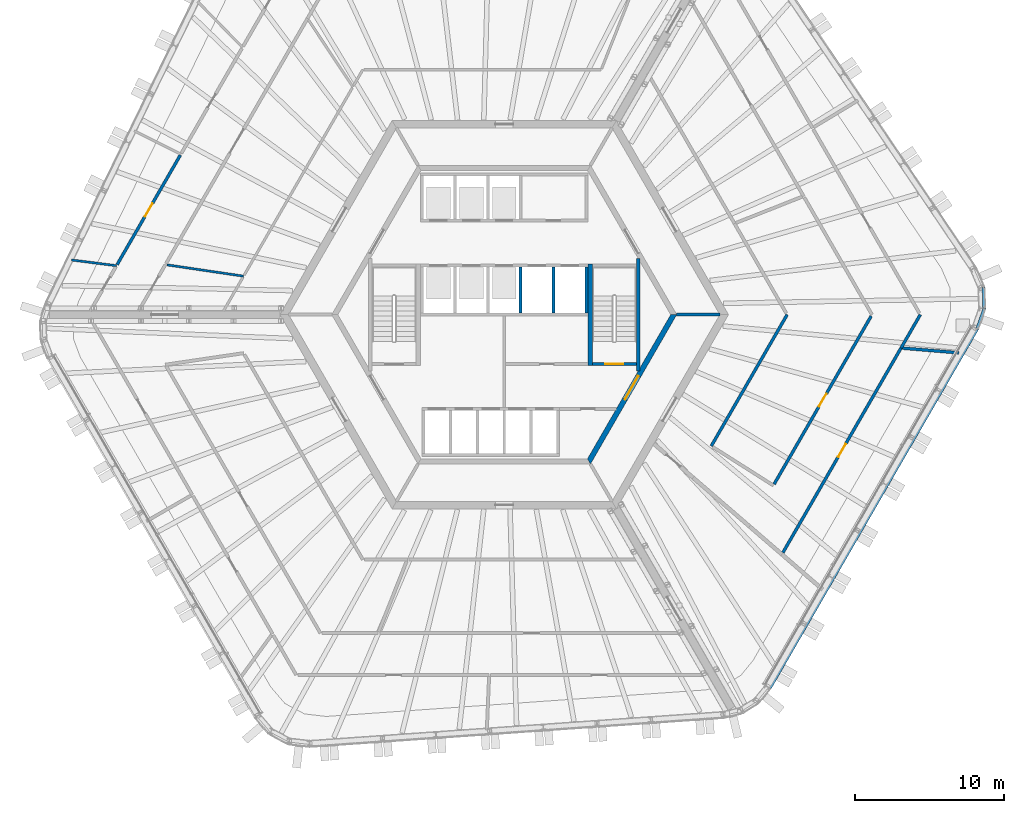
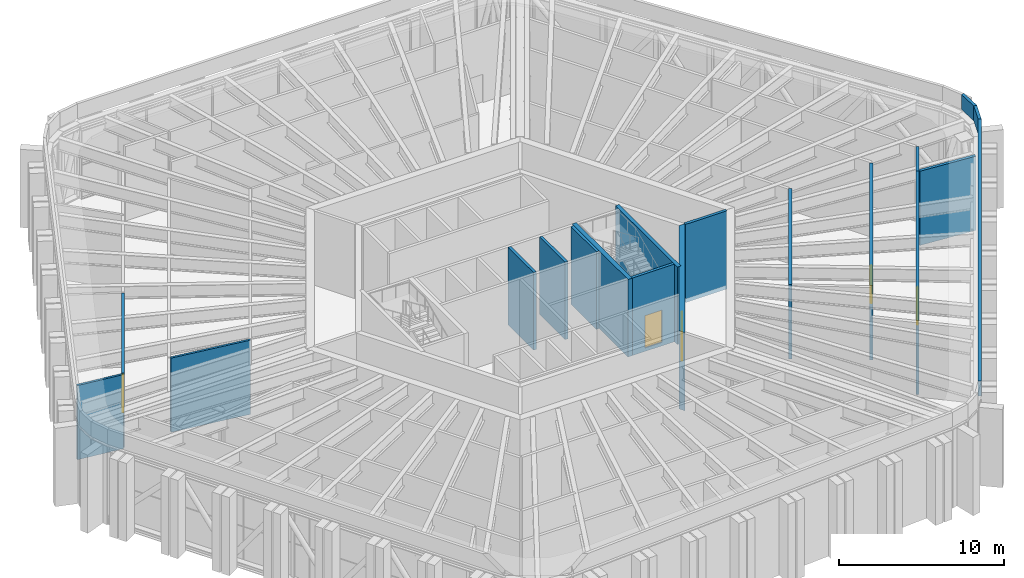
# One storey, part 13 of 24: 19 walls, 5 doors, 5 openings.
"""IFC4 building model written with IfcOpenShell, lengths in metres."""

from ifc_helpers import new_model, si_unit, direction, frame, frame_2d, origin, place, context, subcontext, project, spatial, polyline, rectangle, outline, extrude, material, layer, layer_set, type_object, element, fill, save


model = new_model("IFC4")

# Units and contexts
model_context = context("Model", 3, precision=1e-05, world=origin(), true_north=direction((0.0, 1.0)))
body_context = subcontext(model_context, "Body", "Model", "MODEL_VIEW")
ifc_project = project(units=[si_unit("LENGTHUNIT", "METRE"), si_unit("AREAUNIT", "SQUARE_METRE"), si_unit("VOLUMEUNIT", "CUBIC_METRE"), si_unit("PLANEANGLEUNIT", "RADIAN"), si_unit("MASSUNIT", "GRAM", prefix="KILO")], contexts=[model_context])

# Site, building, storey
site_placement = place(None, origin())
site = spatial("IfcSite", under=ifc_project, at=site_placement, CompositionType="ELEMENT")
building_placement = place(site_placement, origin())
building = spatial("IfcBuilding", under=site, at=building_placement, Name="Tarnside Tower", CompositionType="ELEMENT")
storey_placement = place(building_placement, frame((0.0, 0.0, 250.199951171875)))
storey = spatial("IfcBuildingStorey", under=building, at=storey_placement, Name="L60", CompositionType="ELEMENT", Elevation=250.199951171875)

# Wall, opening, door
ifc_material_1 = material(Name="Concrete C50/60", Category="concrete")
ifc_layer_1 = layer(ifc_material_1, 0.35009765625)
ifc_layer_set_1 = layer_set([ifc_layer_1], Name="Core block wall 350 C50/60")
wall_type_1 = type_object("IfcWallType", Name="Core block wall 350 C50/60", PredefinedType="SHEAR", material=ifc_layer_set_1)
wall_1_placement = place(storey_placement, frame((5.672607421875, -9.824951171875, -0.300048828125), z_axis=(0.0, 0.0, 1.0), x_axis=(0.499995046907, 0.866028263435, 0.0)))
wall_1 = element("IfcWall", 1, at=wall_1_placement, inside=storey, type_object=wall_type_1, Name="L60 core block wall face 5", PredefinedType="SHEAR", context=body_context, shape_type="SweptSolid", body=[
    extrude(outline(polyline([(-0.10107421875, -0.175048828125), (11.44580078125, -0.175048828125), (11.24365234375, 0.175048828125), (0.10107421875, 0.175048828125), (-0.10107421875, -0.175048828125)])), origin(), (0.0, 0.0, 1.0), 5.800048828125),
])
opening_1_placement = place(wall_1_placement, frame((4.80126953125, 0.0, 0.300048828125)))
opening_1 = element("IfcOpeningElement", 2, at=opening_1_placement, cuts=wall_1, Name="Opening CD-FFL", PredefinedType="OPENING", context=body_context, shape_type="SweptSolid", body=[
    extrude(rectangle(XDim=1.800048828125, YDim=2.39990234375, at=frame_2d((0.89990234375, 1.199951171875))), frame((0.0, 0.18505859375, 0.0), z_axis=(0.0, -1.0, 0.0), x_axis=(1.0, 0.0, 0.0)), (0.0, 0.0, 1.0), 0.3701171875),
])
ifc_material_2 = material(Name="Steel fire door", Category="steel")
door_type_1 = type_object("IfcDoorType", Name="Firefighting lobby double door FD60S 1800x2400", OperationType="NOTDEFINED", PredefinedType="DOOR", material=ifc_material_2)
door_1_placement = place(opening_1_placement, origin())
door_1 = element("IfcDoor", 3, at=door_1_placement, inside=storey, type_object=door_type_1, Name="L60 lobby block door P4", OperationType="DOUBLE_DOOR_SINGLE_SWING", OverallHeight=2.39990234375, OverallWidth=1.800048828125, PredefinedType="DOOR", context=body_context, shape_type="SweptSolid", body=[
    extrude(rectangle(XDim=1.800048828125, YDim=2.39990234375, at=frame_2d((0.89990234375, 1.199951171875))), frame((0.0, 0.02490234375, 0.0), z_axis=(0.0, -1.0, 0.0), x_axis=(1.0, 0.0, 0.0)), (0.0, 0.0, 1.0), 0.050048828125),
])
fill(opening_1, door_1)

# Walls
ifc_material_3 = material(Name="Concrete C40/50", Category="concrete")
ifc_layer_2 = layer(ifc_material_3, 0.199951171875)
ifc_layer_set_2 = layer_set([ifc_layer_2], Name="Lift shaft wall 200 C40/50")
wall_type_2 = type_object("IfcWallType", Name="Lift shaft wall 200 C40/50", PredefinedType="SHEAR", material=ifc_layer_set_2)
for number, where, z_axis, x_axis, name in (
    (4, (1.10009765625, 0.10009765625, -0.25), (0.0, 0.0, 1.0), (0.0, 1.0, 0.0), "L60 lift shaft partition R24"),
    (5, (3.300048828125, 0.10009765625, -0.25), (0.0, 0.0, 1.0), (0.0, 1.0, 0.0), "L60 lift shaft partition R25"),
    (6, (5.5, 0.10009765625, -0.25), (0.0, 0.0, 1.0), (0.0, 1.0, 0.0), "L60 lift shaft partition R26"),
):
    element("IfcWall", number, at=place(storey_placement, frame(where, z_axis=z_axis, x_axis=x_axis)), inside=storey, type_object=wall_type_2, Name=name, PredefinedType="SHEAR", context=body_context, shape_type="SweptSolid", body=[
        extrude(rectangle(XDim=3.099853515625, YDim=0.199951171875, at=frame_2d((1.5498046875, 0.0))), origin(), (0.0, 0.0, 1.0), 5.75),
    ])
wall_2_placement = place(storey_placement, frame((11.547119140625, 0.0, -0.300048828125), z_axis=(0.0, 0.0, 1.0), x_axis=(1.0, 0.0, 0.0)))
element("IfcWall", 7, at=wall_2_placement, inside=storey, type_object=wall_type_2, Name="L60 core partition AR0", PredefinedType="SHEAR", context=body_context, shape_type="SweptSolid", body=[
    extrude(rectangle(XDim=2.88671875, YDim=0.199951171875, at=frame_2d((1.443359375, 0.0))), origin(), (0.0, 0.0, 1.0), 5.800048828125),
])

# Wall, opening, door
wall_3_placement = place(storey_placement, frame((5.89990234375, -3.300048828125, -0.25), z_axis=(0.0, 0.0, 1.0), x_axis=(1.0, 0.0, 0.0)))
wall_3 = element("IfcWall", 8, at=wall_3_placement, inside=storey, type_object=wall_type_2, Name="L60 stair 1 enclosure cap wall s", PredefinedType="SHEAR", context=body_context, shape_type="SweptSolid", body=[
    extrude(rectangle(XDim=2.9501953125, YDim=0.199951171875, at=frame_2d((1.47509765625, 0.0))), origin(), (0.0, 0.0, 1.0), 5.75),
])
opening_2_placement = place(wall_3_placement, frame((0.875, 0.0, 0.25)))
opening_2 = element("IfcOpeningElement", 9, at=opening_2_placement, cuts=wall_3, Name="Opening CD-STR", PredefinedType="OPENING", context=body_context, shape_type="SweptSolid", body=[
    extrude(rectangle(XDim=1.199951171875, YDim=2.39990234375, at=frame_2d((0.60009765625, 1.199951171875))), frame((0.0, 0.10986328125, 0.0), z_axis=(0.0, -1.0, 0.0), x_axis=(1.0, 0.0, 0.0)), (0.0, 0.0, 1.0), 0.219970703125),
])
door_type_2 = type_object("IfcDoorType", Name="Stair door FD60S 1200x2400", OperationType="NOTDEFINED", PredefinedType="DOOR", material=ifc_material_2)
door_2_placement = place(opening_2_placement, origin())
door_2 = element("IfcDoor", 10, at=door_2_placement, inside=storey, type_object=door_type_2, Name="L60 stair 1 door", OperationType="SINGLE_SWING_LEFT", OverallHeight=2.39990234375, OverallWidth=1.199951171875, PredefinedType="DOOR", context=body_context, shape_type="SweptSolid", body=[
    extrude(rectangle(XDim=1.199951171875, YDim=2.39990234375, at=frame_2d((0.60009765625, 1.199951171875))), frame((0.0, 0.02490234375, 0.0), z_axis=(0.0, -1.0, 0.0), x_axis=(1.0, 0.0, 0.0)), (0.0, 0.0, 1.0), 0.050048828125),
])
fill(opening_2, door_2)

# Walls
ifc_material_4 = material(Name="Concrete C35/45 precast", Category="concrete")
ifc_layer_3 = layer(ifc_material_4, 0.199951171875)
ifc_layer_set_3 = layer_set([ifc_layer_3], Name="Parapet 200 x 1100")
wall_type_3 = type_object("IfcWallType", Name="Parapet 200 x 1100", PredefinedType="PARAPET", material=ifc_layer_set_3)
wall_4_placement = place(storey_placement, frame((32.08642578125, 1.842529296875, 5.699951171875), z_axis=(0.0, 0.0, 1.0), x_axis=(0.034846799115, -0.999392665868, 0.0)))
element("IfcWall", 11, at=wall_4_placement, inside=storey, type_object=wall_type_3, Name="Roof parapet 06", PredefinedType="PARAPET", context=body_context, shape_type="SweptSolid", body=[
    extrude(outline(polyline([(0.018798828125, -0.10009765625), (1.424560546875, -0.10009765625), (1.462158203125, 0.10009765625), (-0.018798828125, 0.10009765625), (0.018798828125, -0.10009765625)])), origin(), (0.0, 0.0, 1.0), 1.10009765625),
])
wall_5_placement = place(storey_placement, frame((32.13671875, 0.400146484375, 5.699951171875), z_axis=(0.0, 0.0, 1.0), x_axis=(-0.331113967916, -0.943590769482, 0.0)))
element("IfcWall", 12, at=wall_5_placement, inside=storey, type_object=wall_type_3, Name="Roof parapet 07", PredefinedType="PARAPET", context=body_context, shape_type="SweptSolid", body=[
    extrude(outline(polyline([(0.018798828125, -0.10009765625), (1.443359375, -0.10009765625), (1.4619140625, 0.10009765625), (-0.018798828125, 0.10009765625), (0.018798828125, -0.10009765625)])), origin(), (0.0, 0.0, 1.0), 1.10009765625),
])
wall_6_placement = place(storey_placement, frame((31.65576171875, -0.970458984375, 5.699951171875), z_axis=(0.0, 0.0, 1.0), x_axis=(-0.499997219864, -0.866027008891, 0.0)))
element("IfcWall", 13, at=wall_6_placement, inside=storey, type_object=wall_type_3, Name="Roof parapet 08", PredefinedType="PARAPET", context=body_context, shape_type="SweptSolid", body=[
    extrude(outline(polyline([(0.00927734375, -0.10009765625), (27.732421875, -0.10009765625), (27.74853515625, 0.10009765625), (-0.00927734375, 0.10009765625), (0.00927734375, -0.10009765625)])), origin(), (0.0, 0.0, 1.0), 1.10009765625),
])
ifc_material_5 = material(Name="Gypsum board")
ifc_layer_4 = layer(ifc_material_5, 0.14990234375)
ifc_layer_set_4 = layer_set([ifc_layer_4], Name="Partition 150 gypsum board on metal stud")
wall_type_4 = type_object("IfcWallType", Name="Partition 150 gypsum board on metal stud", PredefinedType="PARTITIONING", material=ifc_layer_set_4)
wall_7_placement = place(storey_placement, frame((-28.96630859375, 3.6591796875, 0.0), z_axis=(0.0, 0.0, 1.0), x_axis=(0.992111002578, -0.125362508604, 0.0)))
element("IfcWall", 14, at=wall_7_placement, inside=storey, type_object=wall_type_4, Name="Partition 000", PredefinedType="PARTITIONING", context=body_context, shape_type="SweptSolid", body=[
    extrude(rectangle(XDim=3.0322265625, YDim=0.14990234375, at=frame_2d((1.51611328125, 0.0))), origin(), (0.0, 0.0, 1.0), 5.5),
])
wall_8_placement = place(storey_placement, frame((-22.57763671875, 3.334228515625, 0.0), z_axis=(0.0, 0.0, 1.0), x_axis=(0.989272631556, -0.146081006478, 0.0)))
element("IfcWall", 15, at=wall_8_placement, inside=storey, type_object=wall_type_4, Name="Partition 007", PredefinedType="PARTITIONING", context=body_context, shape_type="SweptSolid", body=[
    extrude(rectangle(XDim=5.184326171875, YDim=0.14990234375, at=frame_2d((2.59228515625, 0.0))), origin(), (0.0, 0.0, 1.0), 5.5),
])
ifc_layer_5 = layer(ifc_material_3, 0.25)
ifc_layer_set_5 = layer_set([ifc_layer_5], Name="Stair enclosure wall 250 C40/50")
wall_type_5 = type_object("IfcWallType", Name="Stair enclosure wall 250 C40/50", PredefinedType="SHEAR", material=ifc_layer_set_5)
wall_9_placement = place(storey_placement, frame((8.97509765625, -3.7548828125, -0.25), z_axis=(0.0, 0.0, 1.0), x_axis=(0.0, 1.0, 0.0)))
element("IfcWall", 16, at=wall_9_placement, inside=storey, type_object=wall_type_5, Name="L60 stair 1 enclosure wall outer", PredefinedType="SHEAR", context=body_context, shape_type="SweptSolid", body=[
    extrude(rectangle(XDim=7.509765625, YDim=0.25, at=frame_2d((3.7548828125, 0.0))), origin(), (0.0, 0.0, 1.0), 5.75),
])
ifc_layer_6 = layer(ifc_material_3, 0.300048828125)
ifc_layer_set_6 = layer_set([ifc_layer_6], Name="Stair enclosure wall 300 C40/50")
wall_type_6 = type_object("IfcWallType", Name="Stair enclosure wall 300 C40/50", PredefinedType="SHEAR", material=ifc_layer_set_6)
wall_10_placement = place(storey_placement, frame((5.75, -3.39990234375, -0.25), z_axis=(0.0, 0.0, 1.0), x_axis=(0.0, 1.0, 0.0)))
element("IfcWall", 17, at=wall_10_placement, inside=storey, type_object=wall_type_6, Name="L60 stair 1 enclosure wall inner", PredefinedType="SHEAR", context=body_context, shape_type="SweptSolid", body=[
    extrude(rectangle(XDim=6.7998046875, YDim=0.300048828125, at=frame_2d((3.39990234375, 0.0))), origin(), (0.0, 0.0, 1.0), 5.75),
])

# Wall, opening, door
ifc_material_6 = material(Name="Concrete C32/40", Category="concrete")
ifc_layer_7 = layer(ifc_material_6, 0.199951171875)
ifc_layer_set_7 = layer_set([ifc_layer_7], Name="Wall 200 reinforced Concrete C32/40")
wall_type_7 = type_object("IfcWallType", Name="Wall 200 reinforced Concrete C32/40", PredefinedType="PARTITIONING", material=ifc_layer_set_7)
wall_11_placement = place(storey_placement, frame((-25.917236328125, 3.349365234375, 0.0), z_axis=(0.0, 0.0, 1.0), x_axis=(0.499982078236, 0.866035750673, 0.0)))
wall_11 = element("IfcWall", 18, at=wall_11_placement, inside=storey, type_object=wall_type_7, Name="Partition 009", PredefinedType="PARTITIONING", context=body_context, shape_type="SweptSolid", body=[
    extrude(rectangle(XDim=8.465576171875, YDim=0.199951171875, at=frame_2d((4.23291015625, 0.0))), origin(), (0.0, 0.0, 1.0), 5.5),
])
opening_3_placement = place(wall_11_placement, frame((3.73291015625, 0.0, 0.0)))
opening_3 = element("IfcOpeningElement", 19, at=opening_3_placement, cuts=wall_11, Name="Opening D1000", PredefinedType="OPENING", context=body_context, shape_type="SweptSolid", body=[
    extrude(rectangle(XDim=1.0, YDim=2.10009765625, at=frame_2d((0.5, 1.050048828125))), frame((0.0, 0.10986328125, 0.0), z_axis=(0.0, -1.0, 0.0), x_axis=(1.0, 0.0, 0.0)), (0.0, 0.0, 1.0), 0.219970703125),
])
ifc_material_7 = material(Name="Timber door leaf", Category="wood")
door_type_3 = type_object("IfcDoorType", Name="Door 1000 x 2100 single leaf", OperationType="NOTDEFINED", PredefinedType="DOOR", material=ifc_material_7)
door_3_placement = place(opening_3_placement, origin())
door_3 = element("IfcDoor", 20, at=door_3_placement, inside=storey, type_object=door_type_3, Name="Door L60-05", OperationType="SINGLE_SWING_RIGHT", OverallHeight=2.10009765625, OverallWidth=1.0, PredefinedType="DOOR", context=body_context, shape_type="SweptSolid", body=[
    extrude(rectangle(XDim=1.0, YDim=2.10009765625, at=frame_2d((0.5, 1.050048828125))), frame((0.0, 0.02490234375, 0.0), z_axis=(0.0, -1.0, 0.0), x_axis=(1.0, 0.0, 0.0)), (0.0, 0.0, 1.0), 0.050048828125),
])
fill(opening_3, door_3)

# Wall
wall_12_placement = place(storey_placement, frame((13.85888671875, -8.794921875, 0.0), z_axis=(0.0, 0.0, 1.0), x_axis=(0.500027655771, 0.866009436129, 0.0)))
element("IfcWall", 21, at=wall_12_placement, inside=storey, type_object=wall_type_7, Name="Partition 042", PredefinedType="PARTITIONING", context=body_context, shape_type="SweptSolid", body=[
    extrude(rectangle(XDim=10.15576171875, YDim=0.199951171875, at=frame_2d((5.077880859375, 0.0))), origin(), (0.0, 0.0, 1.0), 5.5),
])

# Wall, opening, door
wall_13_placement = place(storey_placement, frame((26.56396484375, -2.23095703125, 0.0), z_axis=(0.0, 0.0, 1.0), x_axis=(-0.500020273296, -0.866013698675, 0.0)))
wall_13 = element("IfcWall", 22, at=wall_13_placement, inside=storey, type_object=wall_type_7, Name="Partition 047", PredefinedType="PARTITIONING", context=body_context, shape_type="SweptSolid", body=[
    extrude(rectangle(XDim=15.823974609375, YDim=0.199951171875, at=frame_2d((7.912109375, 0.0))), origin(), (0.0, 0.0, 1.0), 5.5),
])
opening_4_placement = place(wall_13_placement, frame((7.412109375, 0.0, 0.0)))
opening_4 = element("IfcOpeningElement", 23, at=opening_4_placement, cuts=wall_13, Name="Opening D1000F60", PredefinedType="OPENING", context=body_context, shape_type="SweptSolid", body=[
    extrude(rectangle(XDim=1.0, YDim=2.10009765625, at=frame_2d((0.5, 1.050048828125))), frame((0.0, 0.10986328125, 0.0), z_axis=(0.0, -1.0, 0.0), x_axis=(1.0, 0.0, 0.0)), (0.0, 0.0, 1.0), 0.219970703125),
])
door_type_4 = type_object("IfcDoorType", Name="Door 1000 x 2100 single leaf FD60 fire door", OperationType="NOTDEFINED", PredefinedType="DOOR", material=ifc_material_7)
door_4_placement = place(opening_4_placement, origin())
door_4 = element("IfcDoor", 24, at=door_4_placement, inside=storey, type_object=door_type_4, Name="Door L60-18", OperationType="SINGLE_SWING_LEFT", OverallHeight=2.10009765625, OverallWidth=1.0, PredefinedType="DOOR", context=body_context, shape_type="SweptSolid", body=[
    extrude(rectangle(XDim=1.0, YDim=2.10009765625, at=frame_2d((0.5, 1.050048828125))), frame((0.0, 0.02490234375, 0.0), z_axis=(0.0, -1.0, 0.0), x_axis=(1.0, 0.0, 0.0)), (0.0, 0.0, 1.0), 0.050048828125),
])
fill(opening_4, door_4)

wall_14_placement = place(storey_placement, frame((18.067138671875, -11.347412109375, 0.0), z_axis=(0.0, 0.0, 1.0), x_axis=(0.49997251285, 0.866041272916, 0.0)))
wall_14 = element("IfcWall", 25, at=wall_14_placement, inside=storey, type_object=wall_type_7, Name="Partition 053", PredefinedType="PARTITIONING", context=body_context, shape_type="SweptSolid", body=[
    extrude(rectangle(XDim=12.987060546875, YDim=0.199951171875, at=frame_2d((6.49365234375, 0.0))), origin(), (0.0, 0.0, 1.0), 5.5),
])
opening_5_placement = place(wall_14_placement, frame((5.99365234375, 0.0, 0.0)))
opening_5 = element("IfcOpeningElement", 26, at=opening_5_placement, cuts=wall_14, Name="Opening D1000F60", PredefinedType="OPENING", context=body_context, shape_type="SweptSolid", body=[
    extrude(rectangle(XDim=1.0, YDim=2.10009765625, at=frame_2d((0.5, 1.050048828125))), frame((0.0, 0.10986328125, 0.0), z_axis=(0.0, -1.0, 0.0), x_axis=(1.0, 0.0, 0.0)), (0.0, 0.0, 1.0), 0.219970703125),
])
door_5_placement = place(opening_5_placement, origin())
door_5 = element("IfcDoor", 27, at=door_5_placement, inside=storey, type_object=door_type_4, Name="Door L60-20", OperationType="SINGLE_SWING_LEFT", OverallHeight=2.10009765625, OverallWidth=1.0, PredefinedType="DOOR", context=body_context, shape_type="SweptSolid", body=[
    extrude(rectangle(XDim=1.0, YDim=2.10009765625, at=frame_2d((0.5, 1.050048828125))), frame((0.0, 0.02490234375, 0.0), z_axis=(0.0, -1.0, 0.0), x_axis=(1.0, 0.0, 0.0)), (0.0, 0.0, 1.0), 0.050048828125),
])
fill(opening_5, door_5)

# Walls
wall_15_placement = place(storey_placement, frame((26.56396484375, -2.23095703125, 0.0), z_axis=(0.0, 0.0, 1.0), x_axis=(0.499727924102, 0.866182429903, 0.0)))
element("IfcWall", 28, at=wall_15_placement, inside=storey, type_object=wall_type_7, Name="Partition 054", PredefinedType="PARTITIONING", context=body_context, shape_type="SweptSolid", body=[
    extrude(rectangle(XDim=2.57568359375, YDim=0.199951171875, at=frame_2d((1.287841796875, 0.0))), origin(), (0.0, 0.0, 1.0), 5.5),
])
wall_16_placement = place(storey_placement, frame((30.430419921875, -2.5556640625, 0.0), z_axis=(0.0, 0.0, 1.0), x_axis=(-0.996492851247, 0.083677938633, 0.0)))
element("IfcWall", 29, at=wall_16_placement, inside=storey, type_object=wall_type_7, Name="Partition 056", PredefinedType="PARTITIONING", context=body_context, shape_type="SweptSolid", body=[
    extrude(rectangle(XDim=3.76953125, YDim=0.199951171875, at=frame_2d((1.884765625, 0.0))), origin(), (0.0, 0.0, 1.0), 5.5),
])

save(model, "model.ifc")
